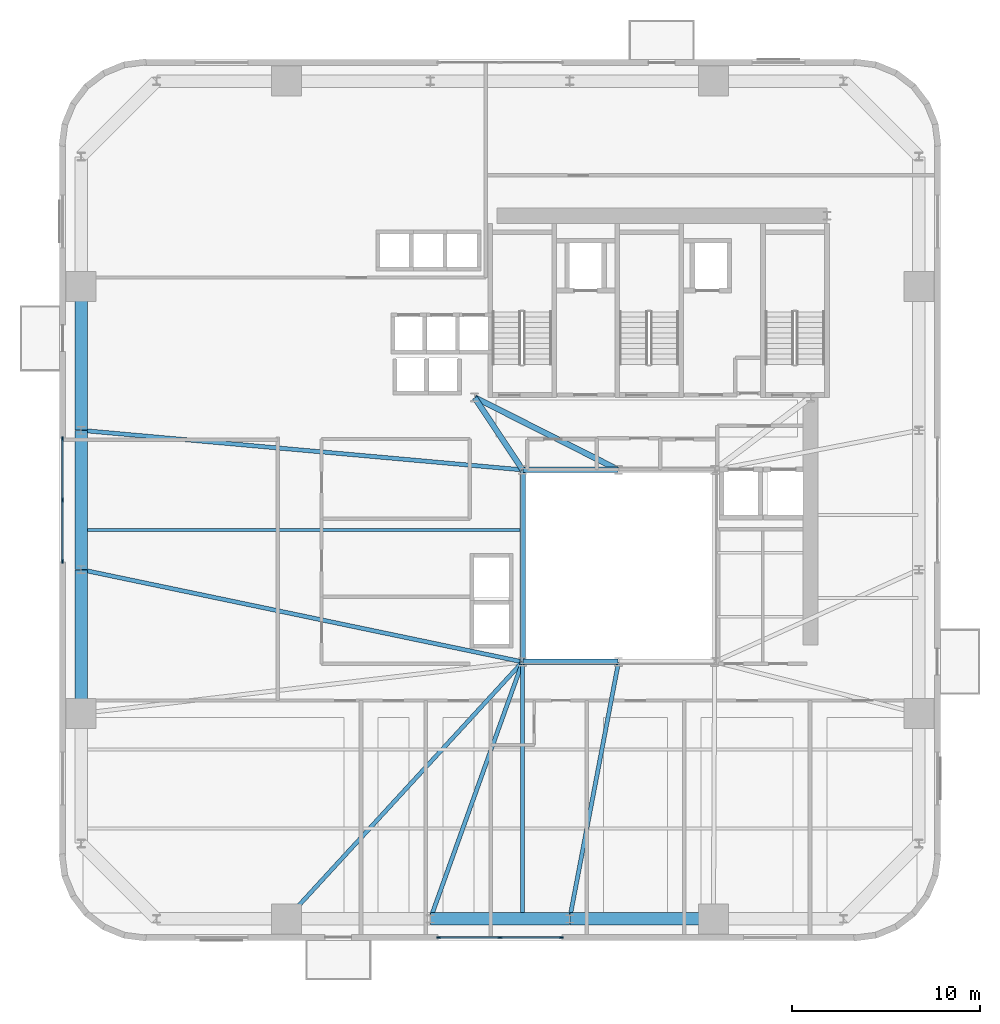
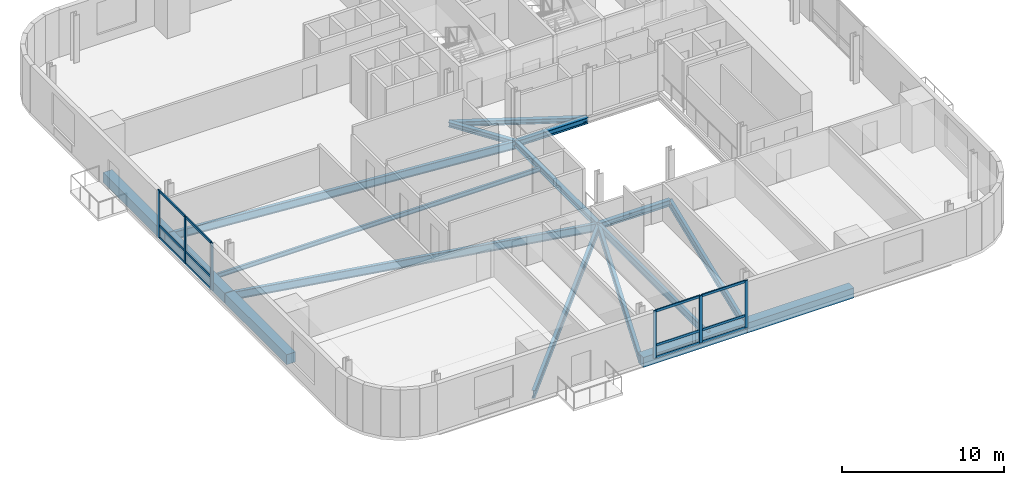
# One storey, part 2 of 14: 18 members, 17 beams, 2 elements without a shape of their own.
"""IFC4 building model written with IfcOpenShell, lengths in metres."""

from ifc_helpers import new_model, si_unit, direction, frame, origin, origin_2d, place, context, subcontext, project, spatial, rectangle, i_section, extrude, source, transform, mapped, material, material_profile, profile_set, type_object, element, aggregate, save


model = new_model("IFC4")

# Units and contexts
model_context = context("Model", 3, precision=1e-05, world=origin(), true_north=direction((0.0, 1.0)))
body_context = subcontext(model_context, "Body", "Model", "MODEL_VIEW")
ifc_project = project(units=[si_unit("LENGTHUNIT", "METRE"), si_unit("AREAUNIT", "SQUARE_METRE"), si_unit("VOLUMEUNIT", "CUBIC_METRE"), si_unit("PLANEANGLEUNIT", "RADIAN"), si_unit("MASSUNIT", "GRAM", prefix="KILO")], contexts=[model_context])

# Site, building, storey
site_placement = place(None, origin())
site = spatial("IfcSite", under=ifc_project, at=site_placement, CompositionType="ELEMENT")
building_placement = place(site_placement, origin())
building = spatial("IfcBuilding", under=site, at=building_placement, Name="Vardaveli Station Tower", CompositionType="ELEMENT")
storey_placement = place(building_placement, frame((0.0, 0.0, 103.699951171875)))
storey = spatial("IfcBuildingStorey", under=building, at=storey_placement, Name="L26", CompositionType="ELEMENT", Elevation=103.699951171875)

# Beams
ifc_material_1 = material(Name="Structural steel S355J2", Category="steel")
ifc_material_profile_1 = material_profile(ifc_material_1, i_section(OverallWidth=0.300048828125, OverallDepth=0.449951171875, WebThickness=0.013916015625, FlangeThickness=0.02587890625, FilletRadius=0.027099609375, at=origin_2d()), Name="HEB 450")
ifc_profile_set_1 = profile_set([ifc_material_profile_1], Name="Structural steel S355J2")
beam_type_1 = type_object("IfcBeamType", Name="BM-HEB450", PredefinedType="BEAM", material=ifc_profile_set_1)
shared_shape_1 = source(origin(), body_context, "Body", "SweptSolid", [
    extrude(i_section(OverallWidth=0.300048828125, OverallDepth=0.449951171875, WebThickness=0.013916015625, FlangeThickness=0.02587890625, FilletRadius=0.027099609375, at=origin_2d()), origin(), (0.0, 0.0, 1.0), 5.06005859375),
])
for number, where, z_axis, x_axis, name in (
    (1, (31.219970703125, 16.60009765625, -0.46484375), (1.0, 0.0, 0.0), (0.0, 1.0, 0.0), "ABM-L26-01"),
    (2, (36.280029296875, 26.800048828125, -0.46484375), (-1.0, 0.0, 0.0), (0.0, -1.0, 0.0), "ABM-L26-05"),
):
    element("IfcBeam", number, at=place(storey_placement, frame(where, z_axis=z_axis, x_axis=x_axis)), inside=storey, type_object=beam_type_1, Name=name, PredefinedType="BEAM", context=body_context, shape_type="MappedRepresentation", body=[
        mapped(shared_shape_1, transform((0.0, 0.0, 0.0), scale=1.0)),
    ])
shared_shape_2 = source(origin(), body_context, "Body", "SweptSolid", [
    extrude(i_section(OverallWidth=0.300048828125, OverallDepth=0.449951171875, WebThickness=0.013916015625, FlangeThickness=0.02587890625, FilletRadius=0.027099609375, at=origin_2d()), origin(), (0.0, 0.0, 1.0), 10.159912109375),
])
beam_1_placement = place(storey_placement, frame((31.199951171875, 26.780029296875, -0.46484375), z_axis=(0.0, -1.0, 0.0), x_axis=(1.0, 0.0, 0.0)))
element("IfcBeam", 3, at=beam_1_placement, inside=storey, type_object=beam_type_1, Name="ABM-L26-06", PredefinedType="BEAM", context=body_context, shape_type="MappedRepresentation", body=[
    mapped(shared_shape_2, transform((0.0, 0.0, 0.0), scale=1.0)),
])
ifc_material_profile_2 = material_profile(ifc_material_1, i_section(OverallWidth=0.300048828125, OverallDepth=0.360107421875, WebThickness=0.012451171875, FlangeThickness=0.0224609375, FilletRadius=0.027099609375, at=origin_2d()), Name="HEB 360")
ifc_profile_set_2 = profile_set([ifc_material_profile_2], Name="Structural steel S355J2")
beam_type_2 = type_object("IfcBeamType", Name="BM-HEB360", PredefinedType="BEAM", material=ifc_profile_set_2)
shared_shape_3 = source(origin(), body_context, "Body", "SweptSolid", [
    extrude(i_section(OverallWidth=0.300048828125, OverallDepth=0.360107421875, WebThickness=0.012451171875, FlangeThickness=0.0224609375, FilletRadius=0.027099609375, at=origin_2d()), origin(), (0.0, 0.0, 1.0), 4.577880859375),
])
beam_2_placement = place(storey_placement, frame((31.18896484375, 26.816650390625, -0.419921875), z_axis=(-0.55218702139, 0.833720272879, 0.0), x_axis=(-0.833720272879, -0.55218702139, 0.0)))
element("IfcBeam", 4, at=beam_2_placement, inside=storey, type_object=beam_type_2, Name="CBM-L26-01", PredefinedType="BEAM", context=body_context, shape_type="MappedRepresentation", body=[
    mapped(shared_shape_3, transform((0.0, 0.0, 0.0), scale=1.0)),
])
shared_shape_4 = source(origin(), body_context, "Body", "SweptSolid", [
    extrude(i_section(OverallWidth=0.300048828125, OverallDepth=0.360107421875, WebThickness=0.012451171875, FlangeThickness=0.0224609375, FilletRadius=0.027099609375, at=origin_2d()), origin(), (0.0, 0.0, 1.0), 8.524169921875),
])
beam_3_placement = place(storey_placement, frame((28.66796875, 30.64111328125, -0.419921875), z_axis=(0.893255584708, -0.449549174605, 0.0), x_axis=(0.449549174605, 0.893255584708, 0.0)))
element("IfcBeam", 5, at=beam_3_placement, inside=storey, type_object=beam_type_2, Name="CBM-L26-03", PredefinedType="BEAM", context=body_context, shape_type="MappedRepresentation", body=[
    mapped(shared_shape_4, transform((0.0, 0.0, 0.0), scale=1.0)),
])
ifc_material_2 = material(Name="Precast concrete C45/55", Category="concrete")
ifc_material_profile_3 = material_profile(ifc_material_2, rectangle(XDim=0.64990234375, YDim=0.75, at=origin_2d()), Name="LPB 650x750")
ifc_profile_set_3 = profile_set([ifc_material_profile_3], Name="Precast concrete C45/55")
beam_type_3 = type_object("IfcBeamType", Name="BM-LPB-750", PredefinedType="BEAM", material=ifc_profile_set_3)
shared_shape_5 = source(origin(), body_context, "Body", "SweptSolid", [
    extrude(rectangle(XDim=0.64990234375, YDim=0.75, at=origin_2d()), origin(), (0.0, 0.0, 1.0), 7.60009765625),
])
for number, where, z_axis, x_axis, name in (
    (6, (33.719970703125, 2.949951171875, -0.614990234375), (1.0, 0.0, 0.0), (0.0, 1.0, 0.0), "RBM-L26-03"),
    (7, (7.75, 36.52001953125, -0.614990234375), (0.0, -1.0, 0.0), (1.0, 0.0, 0.0), "RBM-L26-19"),
    (8, (7.75, 21.47998046875, -0.614990234375), (0.0, -1.0, 0.0), (1.0, 0.0, 0.0), "RBM-L26-21"),
):
    element("IfcBeam", number, at=place(storey_placement, frame(where, z_axis=z_axis, x_axis=x_axis)), inside=storey, type_object=beam_type_3, Name=name, PredefinedType="BEAM", context=body_context, shape_type="MappedRepresentation", body=[
        mapped(shared_shape_5, transform((0.0, 0.0, 0.0), scale=1.0)),
    ])
shared_shape_6 = source(origin(), body_context, "Body", "SweptSolid", [
    extrude(rectangle(XDim=0.64990234375, YDim=0.75, at=origin_2d()), origin(), (0.0, 0.0, 1.0), 7.35986328125),
])
for number, where, z_axis, x_axis, name in (
    (9, (26.320068359375, 2.949951171875, -0.614990234375), (1.0, 0.0, 0.0), (0.0, 1.0, 0.0), "RBM-L26-02"),
    (10, (7.75, 28.8798828125, -0.614990234375), (0.0, -1.0, 0.0), (1.0, 0.0, 0.0), "RBM-L26-20"),
):
    element("IfcBeam", number, at=place(storey_placement, frame(where, z_axis=z_axis, x_axis=x_axis)), inside=storey, type_object=beam_type_3, Name=name, PredefinedType="BEAM", context=body_context, shape_type="MappedRepresentation", body=[
        mapped(shared_shape_6, transform((0.0, 0.0, 0.0), scale=1.0)),
    ])
ifc_material_profile_4 = material_profile(ifc_material_1, i_section(OverallWidth=0.2099609375, OverallDepth=0.550048828125, WebThickness=0.010986328125, FlangeThickness=0.01708984375, FilletRadius=0.02392578125, at=origin_2d()), Name="IPE 550")
ifc_profile_set_4 = profile_set([ifc_material_profile_4], Name="Structural steel S355J2")
beam_type_4 = type_object("IfcBeamType", Name="BM-IPE550", PredefinedType="BEAM", material=ifc_profile_set_4)
shared_shape_7 = source(origin(), body_context, "Body", "SweptSolid", [
    extrude(i_section(OverallWidth=0.2099609375, OverallDepth=0.550048828125, WebThickness=0.010986328125, FlangeThickness=0.01708984375, FilletRadius=0.02392578125, at=origin_2d()), origin(), (0.0, 0.0, 1.0), 13.469970703125),
])
beam_4_placement = place(storey_placement, frame((31.199951171875, 2.989990234375, -0.514892578125), z_axis=(0.0, 1.0, 0.0), x_axis=(-1.0, 0.0, 0.0)))
element("IfcBeam", 11, at=beam_4_placement, inside=storey, type_object=beam_type_4, Name="NSM-L26-S1", PredefinedType="BEAM", context=body_context, shape_type="MappedRepresentation", body=[
    mapped(shared_shape_7, transform((0.0, 0.0, 0.0), scale=1.0)),
])
ifc_material_profile_5 = material_profile(ifc_material_1, i_section(OverallWidth=0.159912109375, OverallDepth=0.330078125, WebThickness=0.007568359375, FlangeThickness=0.011474609375, FilletRadius=0.01806640625, at=origin_2d()), Name="IPE 330")
ifc_profile_set_5 = profile_set([ifc_material_profile_5], Name="Structural steel S355J2")
beam_type_5 = type_object("IfcBeamType", Name="BM-IPE330", PredefinedType="JOIST", material=ifc_profile_set_5)
shared_shape_8 = source(origin(), body_context, "Body", "SweptSolid", [
    extrude(i_section(OverallWidth=0.159912109375, OverallDepth=0.330078125, WebThickness=0.007568359375, FlangeThickness=0.011474609375, FilletRadius=0.01806640625, at=origin_2d()), origin(), (0.0, 0.0, 1.0), 23.2978515625),
])
beam_5_placement = place(storey_placement, frame((7.7900390625, 23.60009765625, -0.405029296875), z_axis=(1.0, 0.0, 0.0), x_axis=(0.0, 1.0, 0.0)))
element("IfcBeam", 12, at=beam_5_placement, inside=storey, type_object=beam_type_5, Name="SJ-L26-W06", PredefinedType="JOIST", context=body_context, shape_type="MappedRepresentation", body=[
    mapped(shared_shape_8, transform((0.0, 0.0, 0.0), scale=1.0)),
])
ifc_material_profile_6 = material_profile(ifc_material_1, i_section(OverallWidth=0.219970703125, OverallDepth=0.60009765625, WebThickness=0.011962890625, FlangeThickness=0.01904296875, FilletRadius=0.02392578125, at=origin_2d()), Name="IPE 600")
ifc_profile_set_6 = profile_set([ifc_material_profile_6], Name="Structural steel S355J2")
beam_type_6 = type_object("IfcBeamType", Name="BM-IPE600", PredefinedType="BEAM", material=ifc_profile_set_6)
shared_shape_9 = source(origin(), body_context, "Body", "SweptSolid", [
    extrude(i_section(OverallWidth=0.219970703125, OverallDepth=0.60009765625, WebThickness=0.011962890625, FlangeThickness=0.01904296875, FilletRadius=0.02392578125, at=origin_2d()), origin(), (0.0, 0.0, 1.0), 18.49560546875),
])
beam_6_placement = place(storey_placement, frame((18.673583984375, 2.96484375, -0.5400390625), z_axis=(0.676535341891, 0.736410165039, 0.0), x_axis=(-0.736410165039, 0.676535341891, 0.0)))
element("IfcBeam", 13, at=beam_6_placement, inside=storey, type_object=beam_type_6, Name="GBM-L26-01", PredefinedType="BEAM", context=body_context, shape_type="MappedRepresentation", body=[
    mapped(shared_shape_9, transform((0.0, 0.0, 0.0), scale=1.0)),
])
shared_shape_10 = source(origin(), body_context, "Body", "SweptSolid", [
    extrude(i_section(OverallWidth=0.219970703125, OverallDepth=0.60009765625, WebThickness=0.011962890625, FlangeThickness=0.01904296875, FilletRadius=0.02392578125, at=origin_2d()), origin(), (0.0, 0.0, 1.0), 14.462890625),
])
beam_7_placement = place(storey_placement, frame((26.306640625, 2.96875, -0.5400390625), z_axis=(0.337880090533, 0.941189165057, 0.0), x_axis=(-0.941189165057, 0.337880090533, 0.0)))
element("IfcBeam", 14, at=beam_7_placement, inside=storey, type_object=beam_type_6, Name="GBM-L26-02", PredefinedType="BEAM", context=body_context, shape_type="MappedRepresentation", body=[
    mapped(shared_shape_10, transform((0.0, 0.0, 0.0), scale=1.0)),
])
shared_shape_11 = source(origin(), body_context, "Body", "SweptSolid", [
    extrude(i_section(OverallWidth=0.219970703125, OverallDepth=0.60009765625, WebThickness=0.011962890625, FlangeThickness=0.01904296875, FilletRadius=0.02392578125, at=origin_2d()), origin(), (0.0, 0.0, 1.0), 13.855224609375),
])
beam_8_placement = place(storey_placement, frame((33.703857421875, 2.9697265625, -0.5400390625), z_axis=(0.187097533125, 0.982341342456, 0.0), x_axis=(-0.982341342456, 0.187097533125, 0.0)))
element("IfcBeam", 15, at=beam_8_placement, inside=storey, type_object=beam_type_6, Name="GBM-L26-03", PredefinedType="BEAM", context=body_context, shape_type="MappedRepresentation", body=[
    mapped(shared_shape_11, transform((0.0, 0.0, 0.0), scale=1.0)),
])
shared_shape_12 = source(origin(), body_context, "Body", "SweptSolid", [
    extrude(i_section(OverallWidth=0.219970703125, OverallDepth=0.60009765625, WebThickness=0.011962890625, FlangeThickness=0.01904296875, FilletRadius=0.02392578125, at=origin_2d()), origin(), (0.0, 0.0, 1.0), 23.50390625),
])
beam_9_placement = place(storey_placement, frame((7.77001953125, 28.898193359375, -0.5400390625), z_axis=(0.996014142198, -0.08919545135, 0.0), x_axis=(0.08919545135, 0.996014142198, 0.0)))
element("IfcBeam", 16, at=beam_9_placement, inside=storey, type_object=beam_type_6, Name="GBM-L26-08", PredefinedType="BEAM", context=body_context, shape_type="MappedRepresentation", body=[
    mapped(shared_shape_12, transform((0.0, 0.0, 0.0), scale=1.0)),
])
shared_shape_13 = source(origin(), body_context, "Body", "SweptSolid", [
    extrude(i_section(OverallWidth=0.219970703125, OverallDepth=0.60009765625, WebThickness=0.011962890625, FlangeThickness=0.01904296875, FilletRadius=0.02392578125, at=origin_2d()), origin(), (0.0, 0.0, 1.0), 23.91650390625),
])
beam_10_placement = place(storey_placement, frame((7.76953125, 21.495849609375, -0.5400390625), z_axis=(0.978858547354, -0.204538368703, 0.0), x_axis=(0.204538368703, 0.978858547354, 0.0)))
element("IfcBeam", 17, at=beam_10_placement, inside=storey, type_object=beam_type_6, Name="GBM-L26-09", PredefinedType="BEAM", context=body_context, shape_type="MappedRepresentation", body=[
    mapped(shared_shape_13, transform((0.0, 0.0, 0.0), scale=1.0)),
])

# Curtain wall, members
ifc_material_3 = material(Name="Travertine stone and solar-control glass", Category="masonry")
curtain_wall_type = type_object("IfcCurtainWallType", Name="CW-SYS-2", PredefinedType="NOTDEFINED", material=ifc_material_3)
curtain_wall_1_placement = place(storey_placement, origin())
curtain_wall_1 = element("IfcCurtainWall", 18, at=curtain_wall_1_placement, inside=storey, type_object=curtain_wall_type, Name="CW-L26-S", PredefinedType="NOTDEFINED")
ifc_material_4 = material(Name="Anodised aluminium alloy 6063-T6", Category="aluminium")
ifc_material_profile_7 = material_profile(ifc_material_4, rectangle(XDim=0.0849609375, YDim=0.179931640625, at=origin_2d()), Name="CWT 85x180")
ifc_profile_set_7 = profile_set([ifc_material_profile_7], Name="Anodised aluminium alloy 6063-T6")
member_type_1 = type_object("IfcMemberType", Name="CW-SYS-2-TRAN", PredefinedType="NOTDEFINED", material=ifc_profile_set_7)
shared_shape_14 = source(origin(), body_context, "Body", "SweptSolid", [
    extrude(rectangle(XDim=0.0849609375, YDim=0.179931640625, at=origin_2d()), origin(), (0.0, 0.0, 1.0), 3.172607421875),
])
member_1_placement = place(storey_placement, frame((26.784912109375, 1.9599609375, 0.04248046875), z_axis=(1.0, 0.0, 0.0), x_axis=(0.0, 1.0, 0.0)))
member_1 = element("IfcMember", 19, at=member_1_placement, type_object=member_type_1, Name="CW-2 transom 1.1", ObjectType="TRANSOM", PredefinedType="USERDEFINED", context=body_context, shape_type="MappedRepresentation", body=[
    mapped(shared_shape_14, transform((0.0, 0.0, 0.0), scale=1.0)),
])
member_2_placement = place(storey_placement, frame((26.784912109375, 1.9599609375, 0.949951171875), z_axis=(1.0, 0.0, 0.0), x_axis=(0.0, 1.0, 0.0)))
member_2 = element("IfcMember", 20, at=member_2_placement, type_object=member_type_1, Name="CW-2 transom 1.2", ObjectType="TRANSOM", PredefinedType="USERDEFINED", context=body_context, shape_type="MappedRepresentation", body=[
    mapped(shared_shape_14, transform((0.0, 0.0, 0.0), scale=1.0)),
])
member_3_placement = place(storey_placement, frame((26.784912109375, 1.9599609375, 3.517578125), z_axis=(1.0, 0.0, 0.0), x_axis=(0.0, 1.0, 0.0)))
member_3 = element("IfcMember", 21, at=member_3_placement, type_object=member_type_1, Name="CW-2 transom 1.3", ObjectType="TRANSOM", PredefinedType="USERDEFINED", context=body_context, shape_type="MappedRepresentation", body=[
    mapped(shared_shape_14, transform((0.0, 0.0, 0.0), scale=1.0)),
])
member_4_placement = place(storey_placement, frame((30.04248046875, 1.9599609375, 0.04248046875), z_axis=(1.0, 0.0, 0.0), x_axis=(0.0, 1.0, 0.0)))
member_4 = element("IfcMember", 22, at=member_4_placement, type_object=member_type_1, Name="CW-2 transom 2.1", ObjectType="TRANSOM", PredefinedType="USERDEFINED", context=body_context, shape_type="MappedRepresentation", body=[
    mapped(shared_shape_14, transform((0.0, 0.0, 0.0), scale=1.0)),
])
member_5_placement = place(storey_placement, frame((30.04248046875, 1.9599609375, 0.949951171875), z_axis=(1.0, 0.0, 0.0), x_axis=(0.0, 1.0, 0.0)))
member_5 = element("IfcMember", 23, at=member_5_placement, type_object=member_type_1, Name="CW-2 transom 2.2", ObjectType="TRANSOM", PredefinedType="USERDEFINED", context=body_context, shape_type="MappedRepresentation", body=[
    mapped(shared_shape_14, transform((0.0, 0.0, 0.0), scale=1.0)),
])
member_6_placement = place(storey_placement, frame((30.04248046875, 1.9599609375, 3.517578125), z_axis=(1.0, 0.0, 0.0), x_axis=(0.0, 1.0, 0.0)))
member_6 = element("IfcMember", 24, at=member_6_placement, type_object=member_type_1, Name="CW-2 transom 2.3", ObjectType="TRANSOM", PredefinedType="USERDEFINED", context=body_context, shape_type="MappedRepresentation", body=[
    mapped(shared_shape_14, transform((0.0, 0.0, 0.0), scale=1.0)),
])

curtain_wall_2_placement = place(storey_placement, origin())
curtain_wall_2 = element("IfcCurtainWall", 25, at=curtain_wall_2_placement, inside=storey, type_object=curtain_wall_type, Name="CW-L26-W", PredefinedType="NOTDEFINED")
member_7_placement = place(storey_placement, frame((6.760009765625, 28.4150390625, 0.04248046875), z_axis=(0.0, -1.0, 0.0), x_axis=(1.0, 0.0, 0.0)))
member_7 = element("IfcMember", 26, at=member_7_placement, type_object=member_type_1, Name="CW-2 transom 1.1", ObjectType="TRANSOM", PredefinedType="USERDEFINED", context=body_context, shape_type="MappedRepresentation", body=[
    mapped(shared_shape_14, transform((0.0, 0.0, 0.0), scale=1.0)),
])
member_8_placement = place(storey_placement, frame((6.760009765625, 28.4150390625, 0.949951171875), z_axis=(0.0, -1.0, 0.0), x_axis=(1.0, 0.0, 0.0)))
member_8 = element("IfcMember", 27, at=member_8_placement, type_object=member_type_1, Name="CW-2 transom 1.2", ObjectType="TRANSOM", PredefinedType="USERDEFINED", context=body_context, shape_type="MappedRepresentation", body=[
    mapped(shared_shape_14, transform((0.0, 0.0, 0.0), scale=1.0)),
])
member_9_placement = place(storey_placement, frame((6.760009765625, 28.4150390625, 3.517578125), z_axis=(0.0, -1.0, 0.0), x_axis=(1.0, 0.0, 0.0)))
member_9 = element("IfcMember", 28, at=member_9_placement, type_object=member_type_1, Name="CW-2 transom 1.3", ObjectType="TRANSOM", PredefinedType="USERDEFINED", context=body_context, shape_type="MappedRepresentation", body=[
    mapped(shared_shape_14, transform((0.0, 0.0, 0.0), scale=1.0)),
])
shared_shape_15 = source(origin(), body_context, "Body", "SweptSolid", [
    extrude(rectangle(XDim=0.0849609375, YDim=0.179931640625, at=origin_2d()), origin(), (0.0, 0.0, 1.0), 3.17236328125),
])
member_10_placement = place(storey_placement, frame((6.760009765625, 25.157470703125, 0.04248046875), z_axis=(0.0, -1.0, 0.0), x_axis=(1.0, 0.0, 0.0)))
member_10 = element("IfcMember", 29, at=member_10_placement, type_object=member_type_1, Name="CW-2 transom 2.1", ObjectType="TRANSOM", PredefinedType="USERDEFINED", context=body_context, shape_type="MappedRepresentation", body=[
    mapped(shared_shape_15, transform((0.0, 0.0, 0.0), scale=1.0)),
])
member_11_placement = place(storey_placement, frame((6.760009765625, 25.157470703125, 0.949951171875), z_axis=(0.0, -1.0, 0.0), x_axis=(1.0, 0.0, 0.0)))
member_11 = element("IfcMember", 30, at=member_11_placement, type_object=member_type_1, Name="CW-2 transom 2.2", ObjectType="TRANSOM", PredefinedType="USERDEFINED", context=body_context, shape_type="MappedRepresentation", body=[
    mapped(shared_shape_15, transform((0.0, 0.0, 0.0), scale=1.0)),
])
member_12_placement = place(storey_placement, frame((6.760009765625, 25.157470703125, 3.517578125), z_axis=(0.0, -1.0, 0.0), x_axis=(1.0, 0.0, 0.0)))
member_12 = element("IfcMember", 31, at=member_12_placement, type_object=member_type_1, Name="CW-2 transom 2.3", ObjectType="TRANSOM", PredefinedType="USERDEFINED", context=body_context, shape_type="MappedRepresentation", body=[
    mapped(shared_shape_15, transform((0.0, 0.0, 0.0), scale=1.0)),
])

# Member
ifc_material_profile_8 = material_profile(ifc_material_4, rectangle(XDim=0.0849609375, YDim=0.219970703125, at=origin_2d()), Name="CWM 85x220")
ifc_profile_set_8 = profile_set([ifc_material_profile_8], Name="Anodised aluminium alloy 6063-T6")
member_type_2 = type_object("IfcMemberType", Name="CW-SYS-2-MULL", PredefinedType="MULLION", material=ifc_profile_set_8)
shared_shape_16 = source(origin(), body_context, "Body", "SweptSolid", [
    extrude(rectangle(XDim=0.0849609375, YDim=0.219970703125, at=origin_2d()), origin(), (0.0, 0.0, 1.0), 3.56005859375),
])
member_13_placement = place(storey_placement, frame((26.742431640625, 1.9599609375, 0.0), z_axis=(0.0, 0.0, 1.0), x_axis=(0.0, 1.0, 0.0)))
member_13 = element("IfcMember", 32, at=member_13_placement, type_object=member_type_2, Name="CW-2 mullion 1", PredefinedType="MULLION", context=body_context, shape_type="MappedRepresentation", body=[
    mapped(shared_shape_16, transform((0.0, 0.0, 0.0), scale=1.0)),
])

member_14_placement = place(storey_placement, frame((30.0, 1.9599609375, 0.0), z_axis=(0.0, 0.0, 1.0), x_axis=(0.0, 1.0, 0.0)))
member_14 = element("IfcMember", 33, at=member_14_placement, type_object=member_type_2, Name="CW-2 mullion 2", PredefinedType="MULLION", context=body_context, shape_type="MappedRepresentation", body=[
    mapped(shared_shape_16, transform((0.0, 0.0, 0.0), scale=1.0)),
])

member_15_placement = place(storey_placement, frame((33.257568359375, 1.9599609375, 0.0), z_axis=(0.0, 0.0, 1.0), x_axis=(0.0, 1.0, 0.0)))
member_15 = element("IfcMember", 34, at=member_15_placement, type_object=member_type_2, Name="CW-2 mullion 3", PredefinedType="MULLION", context=body_context, shape_type="MappedRepresentation", body=[
    mapped(shared_shape_16, transform((0.0, 0.0, 0.0), scale=1.0)),
])

aggregate(curtain_wall_1, [member_13, member_14, member_15, member_1, member_2, member_3, member_4, member_5, member_6])

member_16_placement = place(storey_placement, frame((6.760009765625, 28.45751953125, 0.0), z_axis=(0.0, 0.0, 1.0), x_axis=(1.0, 0.0, 0.0)))
member_16 = element("IfcMember", 35, at=member_16_placement, type_object=member_type_2, Name="CW-2 mullion 1", PredefinedType="MULLION", context=body_context, shape_type="MappedRepresentation", body=[
    mapped(shared_shape_16, transform((0.0, 0.0, 0.0), scale=1.0)),
])

member_17_placement = place(storey_placement, frame((6.760009765625, 25.199951171875, 0.0), z_axis=(0.0, 0.0, 1.0), x_axis=(1.0, 0.0, 0.0)))
member_17 = element("IfcMember", 36, at=member_17_placement, type_object=member_type_2, Name="CW-2 mullion 2", PredefinedType="MULLION", context=body_context, shape_type="MappedRepresentation", body=[
    mapped(shared_shape_16, transform((0.0, 0.0, 0.0), scale=1.0)),
])

member_18_placement = place(storey_placement, frame((6.760009765625, 21.9423828125, 0.0), z_axis=(0.0, 0.0, 1.0), x_axis=(1.0, 0.0, 0.0)))
member_18 = element("IfcMember", 37, at=member_18_placement, type_object=member_type_2, Name="CW-2 mullion 3", PredefinedType="MULLION", context=body_context, shape_type="MappedRepresentation", body=[
    mapped(shared_shape_16, transform((0.0, 0.0, 0.0), scale=1.0)),
])

aggregate(curtain_wall_2, [member_16, member_17, member_18, member_7, member_8, member_9, member_10, member_11, member_12])

save(model, "model.ifc")
